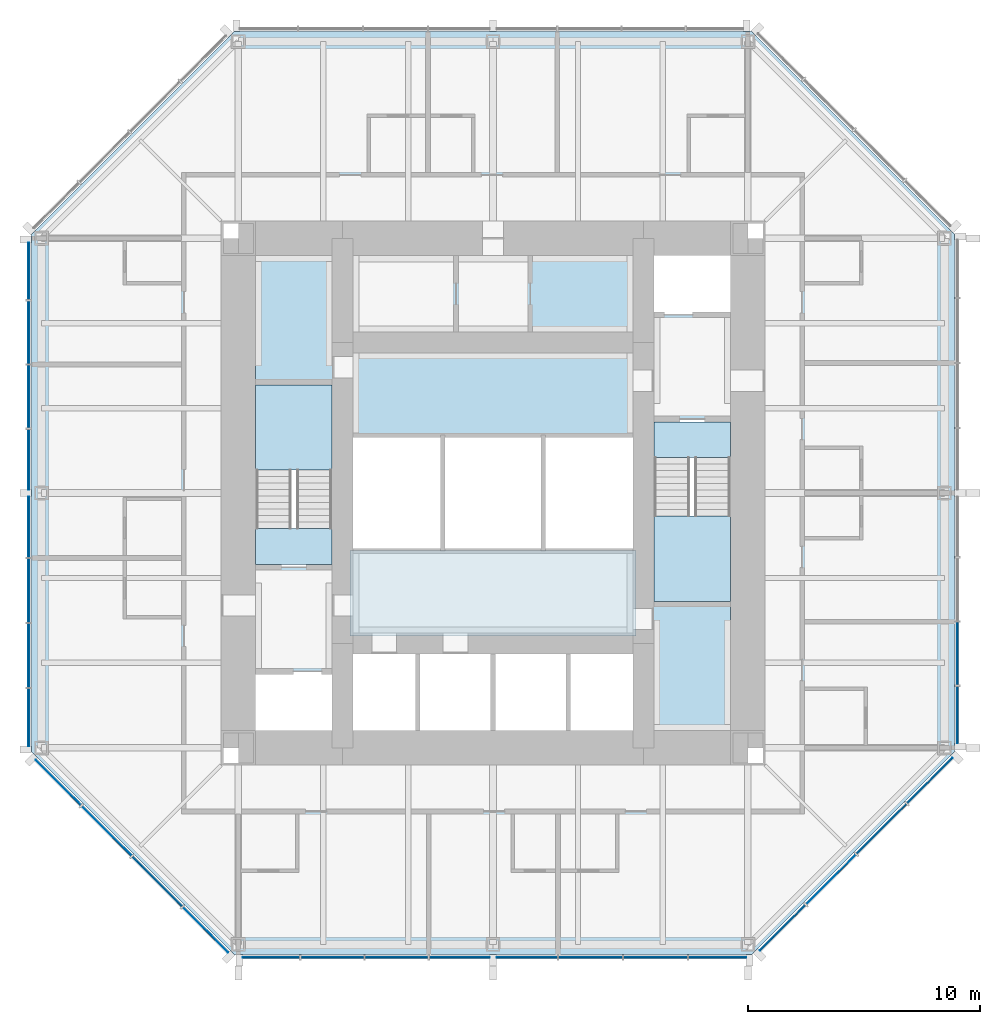
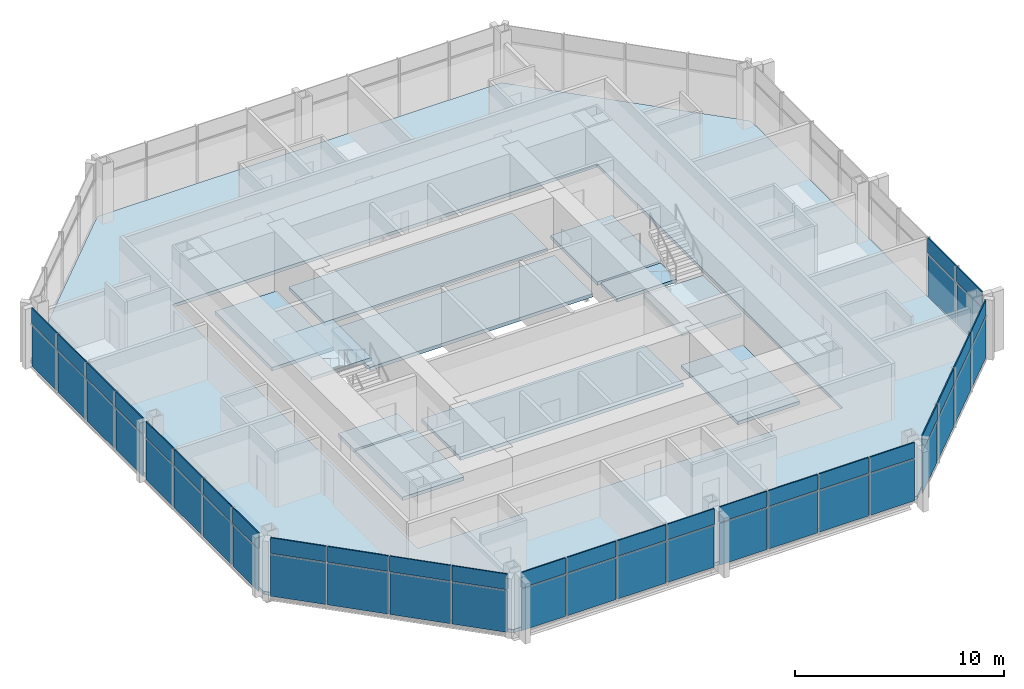
# One storey, part 6 of 11: 52 plates, 12 slabs, 7 elements without a shape of their own.
"""IFC4 building model written with IfcOpenShell, lengths in metres."""

from ifc_helpers import new_model, si_unit, direction, frame, origin, origin_2d, place, context, subcontext, project, spatial, polyline, rectangle, outline, extrude, material, layer, layer_set, type_object, element, aggregate, save


model = new_model("IFC4")

# Units and contexts
model_context = context("Model", 3, precision=1e-05, world=origin(), true_north=direction((0.0, 1.0)))
body_context = subcontext(model_context, "Body", "Model", "MODEL_VIEW")
ifc_project = project(units=[si_unit("LENGTHUNIT", "METRE"), si_unit("AREAUNIT", "SQUARE_METRE"), si_unit("VOLUMEUNIT", "CUBIC_METRE"), si_unit("PLANEANGLEUNIT", "RADIAN"), si_unit("MASSUNIT", "GRAM", prefix="KILO")], contexts=[model_context])

# Site, building, storey
site_placement = place(None, origin())
site = spatial("IfcSite", under=ifc_project, at=site_placement, CompositionType="ELEMENT")
building_placement = place(site_placement, origin())
building = spatial("IfcBuilding", under=site, at=building_placement, Name="Trevanion Tower", CompositionType="ELEMENT")
storey_placement = place(building_placement, frame((0.0, 0.0, 218.699951171875)))
storey = spatial("IfcBuildingStorey", under=building, at=storey_placement, Name="L52", CompositionType="ELEMENT", Elevation=218.699951171875)

# Curtain wall, plates
ifc_material_1 = material(Name="Aluminium and glass", Category="aluminium")
curtain_wall_type = type_object("IfcCurtainWallType", Name="CW3 curtain wall", PredefinedType="USERDEFINED", material=ifc_material_1)
curtain_wall_1_placement = place(storey_placement, origin())
curtain_wall_1 = element("IfcCurtainWall", 1, at=curtain_wall_1_placement, inside=storey, type_object=curtain_wall_type, Name="CW3 L52 0", ObjectType="UNITISED CURTAIN WALL", PredefinedType="USERDEFINED")
ifc_material_2 = material(Name="Aluminium spandrel panel", Category="aluminium")
ifc_layer_1 = layer(ifc_material_2, 0.06005859375)
ifc_layer_set_1 = layer_set([ifc_layer_1], Name="CW3 spandrel panel")
plate_type_1 = type_object("IfcPlateType", Name="CW3 spandrel panel", PredefinedType="CURTAIN_PANEL", material=ifc_layer_set_1)
plate_1_placement = place(storey_placement, frame((20.050048828125, -9.579345703125, 2.3974609375), z_axis=(0.0, 0.0, 1.0), x_axis=(0.0, 1.0, 0.0)))
plate_1 = element("IfcPlate", 2, at=plate_1_placement, type_object=plate_type_1, Name="CW3 panel 1.2", PredefinedType="CURTAIN_PANEL", context=body_context, shape_type="SweptSolid", body=[
    extrude(rectangle(XDim=2.43701171875, YDim=0.06005859375, at=origin_2d()), origin(), (0.0, 0.0, 1.0), 0.91259765625),
])
plate_2_placement = place(storey_placement, frame((20.050048828125, -6.93603515625, 2.3974609375), z_axis=(0.0, 0.0, 1.0), x_axis=(0.0, 1.0, 0.0)))
plate_2 = element("IfcPlate", 3, at=plate_2_placement, type_object=plate_type_1, Name="CW3 panel 2.2", PredefinedType="CURTAIN_PANEL", context=body_context, shape_type="SweptSolid", body=[
    extrude(rectangle(XDim=2.699462890625, YDim=0.06005859375, at=origin_2d()), origin(), (0.0, 0.0, 1.0), 0.91259765625),
])

curtain_wall_2_placement = place(storey_placement, origin())
curtain_wall_2 = element("IfcCurtainWall", 4, at=curtain_wall_2_placement, inside=storey, type_object=curtain_wall_type, Name="CW3 L52 4", ObjectType="UNITISED CURTAIN WALL", PredefinedType="USERDEFINED")
plate_3_placement = place(storey_placement, frame((-20.050048828125, 9.579345703125, 2.3974609375), z_axis=(0.0, 0.0, 1.0), x_axis=(0.0, -1.0, 0.0)))
plate_3 = element("IfcPlate", 5, at=plate_3_placement, type_object=plate_type_1, Name="CW3 panel 1.2", PredefinedType="CURTAIN_PANEL", context=body_context, shape_type="SweptSolid", body=[
    extrude(rectangle(XDim=2.43701171875, YDim=0.06005859375, at=origin_2d()), origin(), (0.0, 0.0, 1.0), 0.91259765625),
])
plate_4_placement = place(storey_placement, frame((-20.050048828125, 6.93603515625, 2.3974609375), z_axis=(0.0, 0.0, 1.0), x_axis=(0.0, -1.0, 0.0)))
plate_4 = element("IfcPlate", 6, at=plate_4_placement, type_object=plate_type_1, Name="CW3 panel 2.2", PredefinedType="CURTAIN_PANEL", context=body_context, shape_type="SweptSolid", body=[
    extrude(rectangle(XDim=2.699462890625, YDim=0.06005859375, at=origin_2d()), origin(), (0.0, 0.0, 1.0), 0.91259765625),
])
plate_5_placement = place(storey_placement, frame((-20.050048828125, 4.16162109375, 2.3974609375), z_axis=(0.0, 0.0, 1.0), x_axis=(0.0, -1.0, 0.0)))
plate_5 = element("IfcPlate", 7, at=plate_5_placement, type_object=plate_type_1, Name="CW3 panel 3.2", PredefinedType="CURTAIN_PANEL", context=body_context, shape_type="SweptSolid", body=[
    extrude(rectangle(XDim=2.699462890625, YDim=0.06005859375, at=origin_2d()), origin(), (0.0, 0.0, 1.0), 0.91259765625),
])
plate_6_placement = place(storey_placement, frame((-20.050048828125, 1.443603515625, 2.3974609375), z_axis=(0.0, 0.0, 1.0), x_axis=(0.0, -1.0, 0.0)))
plate_6 = element("IfcPlate", 8, at=plate_6_placement, type_object=plate_type_1, Name="CW3 panel 4.2", PredefinedType="CURTAIN_PANEL", context=body_context, shape_type="SweptSolid", body=[
    extrude(rectangle(XDim=2.5869140625, YDim=0.06005859375, at=origin_2d()), origin(), (0.0, 0.0, 1.0), 0.91259765625),
])
plate_7_placement = place(storey_placement, frame((-20.050048828125, -1.459716796875, 2.3974609375), z_axis=(0.0, 0.0, 1.0), x_axis=(0.0, -1.0, 0.0)))
plate_7 = element("IfcPlate", 9, at=plate_7_placement, type_object=plate_type_1, Name="CW3 panel 5.2", PredefinedType="CURTAIN_PANEL", context=body_context, shape_type="SweptSolid", body=[
    extrude(rectangle(XDim=2.619384765625, YDim=0.06005859375, at=origin_2d()), origin(), (0.0, 0.0, 1.0), 0.91259765625),
])
plate_8_placement = place(storey_placement, frame((-20.050048828125, -4.21044921875, 2.3974609375), z_axis=(0.0, 0.0, 1.0), x_axis=(0.0, -1.0, 0.0)))
plate_8 = element("IfcPlate", 10, at=plate_8_placement, type_object=plate_type_1, Name="CW3 panel 6.2", PredefinedType="CURTAIN_PANEL", context=body_context, shape_type="SweptSolid", body=[
    extrude(rectangle(XDim=2.73193359375, YDim=0.06005859375, at=origin_2d()), origin(), (0.0, 0.0, 1.0), 0.91259765625),
])
plate_9_placement = place(storey_placement, frame((-20.050048828125, -7.017333984375, 2.3974609375), z_axis=(0.0, 0.0, 1.0), x_axis=(0.0, -1.0, 0.0)))
plate_9 = element("IfcPlate", 11, at=plate_9_placement, type_object=plate_type_1, Name="CW3 panel 7.2", PredefinedType="CURTAIN_PANEL", context=body_context, shape_type="SweptSolid", body=[
    extrude(rectangle(XDim=2.73193359375, YDim=0.06005859375, at=origin_2d()), origin(), (0.0, 0.0, 1.0), 0.91259765625),
])
plate_10_placement = place(storey_placement, frame((-20.050048828125, -9.693115234375, 2.3974609375), z_axis=(0.0, 0.0, 1.0), x_axis=(0.0, -1.0, 0.0)))
plate_10 = element("IfcPlate", 12, at=plate_10_placement, type_object=plate_type_1, Name="CW3 panel 8.2", PredefinedType="CURTAIN_PANEL", context=body_context, shape_type="SweptSolid", body=[
    extrude(rectangle(XDim=2.469482421875, YDim=0.06005859375, at=origin_2d()), origin(), (0.0, 0.0, 1.0), 0.91259765625),
])

curtain_wall_3_placement = place(storey_placement, origin())
curtain_wall_3 = element("IfcCurtainWall", 13, at=curtain_wall_3_placement, inside=storey, type_object=curtain_wall_type, Name="CW3 L52 5", ObjectType="UNITISED CURTAIN WALL", PredefinedType="USERDEFINED")
plate_11_placement = place(storey_placement, frame((-18.77392578125, -12.50390625, 2.3974609375), z_axis=(0.0, 0.0, 1.0), x_axis=(0.707106781187, -0.707106781187, 0.0)))
plate_11 = element("IfcPlate", 14, at=plate_11_placement, type_object=plate_type_1, Name="CW3 panel 1.2", PredefinedType="CURTAIN_PANEL", context=body_context, shape_type="SweptSolid", body=[
    extrude(rectangle(XDim=2.7490234375, YDim=0.06005859375, at=origin_2d()), origin(), (0.0, 0.0, 1.0), 0.91259765625),
])
plate_12_placement = place(storey_placement, frame((-16.68408203125, -14.593505859375, 2.3974609375), z_axis=(0.0, 0.0, 1.0), x_axis=(0.707106781187, -0.707106781187, 0.0)))
plate_12 = element("IfcPlate", 15, at=plate_12_placement, type_object=plate_type_1, Name="CW3 panel 2.2", PredefinedType="CURTAIN_PANEL", context=body_context, shape_type="SweptSolid", body=[
    extrude(rectangle(XDim=3.01171875, YDim=0.06005859375, at=origin_2d()), origin(), (0.0, 0.0, 1.0), 0.91259765625),
])
plate_13_placement = place(storey_placement, frame((-14.501708984375, -16.776123046875, 2.3974609375), z_axis=(0.0, 0.0, 1.0), x_axis=(0.707106781187, -0.707106781187, 0.0)))
plate_13 = element("IfcPlate", 16, at=plate_13_placement, type_object=plate_type_1, Name="CW3 panel 3.2", PredefinedType="CURTAIN_PANEL", context=body_context, shape_type="SweptSolid", body=[
    extrude(rectangle(XDim=3.01171875, YDim=0.06005859375, at=origin_2d()), origin(), (0.0, 0.0, 1.0), 0.91259765625),
])
plate_14_placement = place(storey_placement, frame((-12.411865234375, -18.865966796875, 2.3974609375), z_axis=(0.0, 0.0, 1.0), x_axis=(0.707106781187, -0.707106781187, 0.0)))
plate_14 = element("IfcPlate", 17, at=plate_14_placement, type_object=plate_type_1, Name="CW3 panel 4.2", PredefinedType="CURTAIN_PANEL", context=body_context, shape_type="SweptSolid", body=[
    extrude(rectangle(XDim=2.7490234375, YDim=0.06005859375, at=origin_2d()), origin(), (0.0, 0.0, 1.0), 0.91259765625),
])

curtain_wall_4_placement = place(storey_placement, origin())
curtain_wall_4 = element("IfcCurtainWall", 18, at=curtain_wall_4_placement, inside=storey, type_object=curtain_wall_type, Name="CW3 L52 6", ObjectType="UNITISED CURTAIN WALL", PredefinedType="USERDEFINED")
plate_15_placement = place(storey_placement, frame((-9.579345703125, -20.050048828125, 2.3974609375), z_axis=(0.0, 0.0, 1.0), x_axis=(1.0, 0.0, 0.0)))
plate_15 = element("IfcPlate", 19, at=plate_15_placement, type_object=plate_type_1, Name="CW3 panel 1.2", PredefinedType="CURTAIN_PANEL", context=body_context, shape_type="SweptSolid", body=[
    extrude(rectangle(XDim=2.43701171875, YDim=0.06005859375, at=origin_2d()), origin(), (0.0, 0.0, 1.0), 0.91259765625),
])
plate_16_placement = place(storey_placement, frame((-6.93603515625, -20.050048828125, 2.3974609375), z_axis=(0.0, 0.0, 1.0), x_axis=(1.0, 0.0, 0.0)))
plate_16 = element("IfcPlate", 20, at=plate_16_placement, type_object=plate_type_1, Name="CW3 panel 2.2", PredefinedType="CURTAIN_PANEL", context=body_context, shape_type="SweptSolid", body=[
    extrude(rectangle(XDim=2.699462890625, YDim=0.06005859375, at=origin_2d()), origin(), (0.0, 0.0, 1.0), 0.91259765625),
])
plate_17_placement = place(storey_placement, frame((-4.16162109375, -20.050048828125, 2.3974609375), z_axis=(0.0, 0.0, 1.0), x_axis=(1.0, 0.0, 0.0)))
plate_17 = element("IfcPlate", 21, at=plate_17_placement, type_object=plate_type_1, Name="CW3 panel 3.2", PredefinedType="CURTAIN_PANEL", context=body_context, shape_type="SweptSolid", body=[
    extrude(rectangle(XDim=2.699462890625, YDim=0.06005859375, at=origin_2d()), origin(), (0.0, 0.0, 1.0), 0.91259765625),
])
plate_18_placement = place(storey_placement, frame((-1.443603515625, -20.050048828125, 2.3974609375), z_axis=(0.0, 0.0, 1.0), x_axis=(1.0, 0.0, 0.0)))
plate_18 = element("IfcPlate", 22, at=plate_18_placement, type_object=plate_type_1, Name="CW3 panel 4.2", PredefinedType="CURTAIN_PANEL", context=body_context, shape_type="SweptSolid", body=[
    extrude(rectangle(XDim=2.5869140625, YDim=0.06005859375, at=origin_2d()), origin(), (0.0, 0.0, 1.0), 0.91259765625),
])
plate_19_placement = place(storey_placement, frame((1.459716796875, -20.050048828125, 2.3974609375), z_axis=(0.0, 0.0, 1.0), x_axis=(1.0, 0.0, 0.0)))
plate_19 = element("IfcPlate", 23, at=plate_19_placement, type_object=plate_type_1, Name="CW3 panel 5.2", PredefinedType="CURTAIN_PANEL", context=body_context, shape_type="SweptSolid", body=[
    extrude(rectangle(XDim=2.619384765625, YDim=0.06005859375, at=origin_2d()), origin(), (0.0, 0.0, 1.0), 0.91259765625),
])
plate_20_placement = place(storey_placement, frame((4.21044921875, -20.050048828125, 2.3974609375), z_axis=(0.0, 0.0, 1.0), x_axis=(1.0, 0.0, 0.0)))
plate_20 = element("IfcPlate", 24, at=plate_20_placement, type_object=plate_type_1, Name="CW3 panel 6.2", PredefinedType="CURTAIN_PANEL", context=body_context, shape_type="SweptSolid", body=[
    extrude(rectangle(XDim=2.73193359375, YDim=0.06005859375, at=origin_2d()), origin(), (0.0, 0.0, 1.0), 0.91259765625),
])
plate_21_placement = place(storey_placement, frame((7.017333984375, -20.050048828125, 2.3974609375), z_axis=(0.0, 0.0, 1.0), x_axis=(1.0, 0.0, 0.0)))
plate_21 = element("IfcPlate", 25, at=plate_21_placement, type_object=plate_type_1, Name="CW3 panel 7.2", PredefinedType="CURTAIN_PANEL", context=body_context, shape_type="SweptSolid", body=[
    extrude(rectangle(XDim=2.73193359375, YDim=0.06005859375, at=origin_2d()), origin(), (0.0, 0.0, 1.0), 0.91259765625),
])
plate_22_placement = place(storey_placement, frame((9.693115234375, -20.050048828125, 2.3974609375), z_axis=(0.0, 0.0, 1.0), x_axis=(1.0, 0.0, 0.0)))
plate_22 = element("IfcPlate", 26, at=plate_22_placement, type_object=plate_type_1, Name="CW3 panel 8.2", PredefinedType="CURTAIN_PANEL", context=body_context, shape_type="SweptSolid", body=[
    extrude(rectangle(XDim=2.469482421875, YDim=0.06005859375, at=origin_2d()), origin(), (0.0, 0.0, 1.0), 0.91259765625),
])

curtain_wall_5_placement = place(storey_placement, origin())
curtain_wall_5 = element("IfcCurtainWall", 27, at=curtain_wall_5_placement, inside=storey, type_object=curtain_wall_type, Name="CW3 L52 7", ObjectType="UNITISED CURTAIN WALL", PredefinedType="USERDEFINED")
plate_23_placement = place(storey_placement, frame((12.50390625, -18.77392578125, 2.3974609375), z_axis=(0.0, 0.0, 1.0), x_axis=(0.707106781187, 0.707106781187, 0.0)))
plate_23 = element("IfcPlate", 28, at=plate_23_placement, type_object=plate_type_1, Name="CW3 panel 1.2", PredefinedType="CURTAIN_PANEL", context=body_context, shape_type="SweptSolid", body=[
    extrude(rectangle(XDim=2.7490234375, YDim=0.06005859375, at=origin_2d()), origin(), (0.0, 0.0, 1.0), 0.91259765625),
])
plate_24_placement = place(storey_placement, frame((14.593505859375, -16.68408203125, 2.3974609375), z_axis=(0.0, 0.0, 1.0), x_axis=(0.707106781187, 0.707106781187, 0.0)))
plate_24 = element("IfcPlate", 29, at=plate_24_placement, type_object=plate_type_1, Name="CW3 panel 2.2", PredefinedType="CURTAIN_PANEL", context=body_context, shape_type="SweptSolid", body=[
    extrude(rectangle(XDim=3.01171875, YDim=0.06005859375, at=origin_2d()), origin(), (0.0, 0.0, 1.0), 0.91259765625),
])
plate_25_placement = place(storey_placement, frame((16.776123046875, -14.501708984375, 2.3974609375), z_axis=(0.0, 0.0, 1.0), x_axis=(0.707106781187, 0.707106781187, 0.0)))
plate_25 = element("IfcPlate", 30, at=plate_25_placement, type_object=plate_type_1, Name="CW3 panel 3.2", PredefinedType="CURTAIN_PANEL", context=body_context, shape_type="SweptSolid", body=[
    extrude(rectangle(XDim=3.01171875, YDim=0.06005859375, at=origin_2d()), origin(), (0.0, 0.0, 1.0), 0.91259765625),
])
plate_26_placement = place(storey_placement, frame((18.865966796875, -12.411865234375, 2.3974609375), z_axis=(0.0, 0.0, 1.0), x_axis=(0.707106781187, 0.707106781187, 0.0)))
plate_26 = element("IfcPlate", 31, at=plate_26_placement, type_object=plate_type_1, Name="CW3 panel 4.2", PredefinedType="CURTAIN_PANEL", context=body_context, shape_type="SweptSolid", body=[
    extrude(rectangle(XDim=2.7490234375, YDim=0.06005859375, at=origin_2d()), origin(), (0.0, 0.0, 1.0), 0.91259765625),
])

# Plate
ifc_material_3 = material(Name="Insulating glass unit", Category="glass")
ifc_layer_2 = layer(ifc_material_3, 0.028076171875)
ifc_layer_set_2 = layer_set([ifc_layer_2], Name="CW3 vision panel")
plate_type_2 = type_object("IfcPlateType", Name="CW3 vision panel", PredefinedType="CURTAIN_PANEL", material=ifc_layer_set_2)
plate_27_placement = place(storey_placement, frame((20.050048828125, -9.579345703125, -0.114990234375), z_axis=(0.0, 0.0, 1.0), x_axis=(0.0, 1.0, 0.0)))
plate_27 = element("IfcPlate", 32, at=plate_27_placement, type_object=plate_type_2, Name="CW3 panel 1.1", PredefinedType="CURTAIN_PANEL", context=body_context, shape_type="SweptSolid", body=[
    extrude(rectangle(XDim=2.43701171875, YDim=0.028076171875, at=origin_2d()), origin(), (0.0, 0.0, 1.0), 2.4375),
])

plate_28_placement = place(storey_placement, frame((20.050048828125, -6.93603515625, -0.114990234375), z_axis=(0.0, 0.0, 1.0), x_axis=(0.0, 1.0, 0.0)))
plate_28 = element("IfcPlate", 33, at=plate_28_placement, type_object=plate_type_2, Name="CW3 panel 2.1", PredefinedType="CURTAIN_PANEL", context=body_context, shape_type="SweptSolid", body=[
    extrude(rectangle(XDim=2.699462890625, YDim=0.028076171875, at=origin_2d()), origin(), (0.0, 0.0, 1.0), 2.4375),
])

aggregate(curtain_wall_1, [plate_27, plate_1, plate_28, plate_2])

plate_29_placement = place(storey_placement, frame((-20.050048828125, 9.579345703125, -0.114990234375), z_axis=(0.0, 0.0, 1.0), x_axis=(0.0, -1.0, 0.0)))
plate_29 = element("IfcPlate", 34, at=plate_29_placement, type_object=plate_type_2, Name="CW3 panel 1.1", PredefinedType="CURTAIN_PANEL", context=body_context, shape_type="SweptSolid", body=[
    extrude(rectangle(XDim=2.43701171875, YDim=0.028076171875, at=origin_2d()), origin(), (0.0, 0.0, 1.0), 2.4375),
])

plate_30_placement = place(storey_placement, frame((-20.050048828125, 6.93603515625, -0.114990234375), z_axis=(0.0, 0.0, 1.0), x_axis=(0.0, -1.0, 0.0)))
plate_30 = element("IfcPlate", 35, at=plate_30_placement, type_object=plate_type_2, Name="CW3 panel 2.1", PredefinedType="CURTAIN_PANEL", context=body_context, shape_type="SweptSolid", body=[
    extrude(rectangle(XDim=2.699462890625, YDim=0.028076171875, at=origin_2d()), origin(), (0.0, 0.0, 1.0), 2.4375),
])

plate_31_placement = place(storey_placement, frame((-20.050048828125, 4.16162109375, -0.114990234375), z_axis=(0.0, 0.0, 1.0), x_axis=(0.0, -1.0, 0.0)))
plate_31 = element("IfcPlate", 36, at=plate_31_placement, type_object=plate_type_2, Name="CW3 panel 3.1", PredefinedType="CURTAIN_PANEL", context=body_context, shape_type="SweptSolid", body=[
    extrude(rectangle(XDim=2.699462890625, YDim=0.028076171875, at=origin_2d()), origin(), (0.0, 0.0, 1.0), 2.4375),
])

plate_32_placement = place(storey_placement, frame((-20.050048828125, 1.443603515625, -0.114990234375), z_axis=(0.0, 0.0, 1.0), x_axis=(0.0, -1.0, 0.0)))
plate_32 = element("IfcPlate", 37, at=plate_32_placement, type_object=plate_type_2, Name="CW3 panel 4.1", PredefinedType="CURTAIN_PANEL", context=body_context, shape_type="SweptSolid", body=[
    extrude(rectangle(XDim=2.5869140625, YDim=0.028076171875, at=origin_2d()), origin(), (0.0, 0.0, 1.0), 2.4375),
])

plate_33_placement = place(storey_placement, frame((-20.050048828125, -1.459716796875, -0.114990234375), z_axis=(0.0, 0.0, 1.0), x_axis=(0.0, -1.0, 0.0)))
plate_33 = element("IfcPlate", 38, at=plate_33_placement, type_object=plate_type_2, Name="CW3 panel 5.1", PredefinedType="CURTAIN_PANEL", context=body_context, shape_type="SweptSolid", body=[
    extrude(rectangle(XDim=2.619384765625, YDim=0.028076171875, at=origin_2d()), origin(), (0.0, 0.0, 1.0), 2.4375),
])

plate_34_placement = place(storey_placement, frame((-20.050048828125, -4.21044921875, -0.114990234375), z_axis=(0.0, 0.0, 1.0), x_axis=(0.0, -1.0, 0.0)))
plate_34 = element("IfcPlate", 39, at=plate_34_placement, type_object=plate_type_2, Name="CW3 panel 6.1", PredefinedType="CURTAIN_PANEL", context=body_context, shape_type="SweptSolid", body=[
    extrude(rectangle(XDim=2.73193359375, YDim=0.028076171875, at=origin_2d()), origin(), (0.0, 0.0, 1.0), 2.4375),
])

plate_35_placement = place(storey_placement, frame((-20.050048828125, -7.017333984375, -0.114990234375), z_axis=(0.0, 0.0, 1.0), x_axis=(0.0, -1.0, 0.0)))
plate_35 = element("IfcPlate", 40, at=plate_35_placement, type_object=plate_type_2, Name="CW3 panel 7.1", PredefinedType="CURTAIN_PANEL", context=body_context, shape_type="SweptSolid", body=[
    extrude(rectangle(XDim=2.73193359375, YDim=0.028076171875, at=origin_2d()), origin(), (0.0, 0.0, 1.0), 2.4375),
])

plate_36_placement = place(storey_placement, frame((-20.050048828125, -9.693115234375, -0.114990234375), z_axis=(0.0, 0.0, 1.0), x_axis=(0.0, -1.0, 0.0)))
plate_36 = element("IfcPlate", 41, at=plate_36_placement, type_object=plate_type_2, Name="CW3 panel 8.1", PredefinedType="CURTAIN_PANEL", context=body_context, shape_type="SweptSolid", body=[
    extrude(rectangle(XDim=2.469482421875, YDim=0.028076171875, at=origin_2d()), origin(), (0.0, 0.0, 1.0), 2.4375),
])

aggregate(curtain_wall_2, [plate_29, plate_3, plate_30, plate_4, plate_31, plate_5, plate_32, plate_6, plate_33, plate_7, plate_34, plate_8, plate_35, plate_9, plate_36, plate_10])

plate_37_placement = place(storey_placement, frame((-18.77392578125, -12.50390625, -0.114990234375), z_axis=(0.0, 0.0, 1.0), x_axis=(0.707106781187, -0.707106781187, 0.0)))
plate_37 = element("IfcPlate", 42, at=plate_37_placement, type_object=plate_type_2, Name="CW3 panel 1.1", PredefinedType="CURTAIN_PANEL", context=body_context, shape_type="SweptSolid", body=[
    extrude(rectangle(XDim=2.7490234375, YDim=0.028076171875, at=origin_2d()), origin(), (0.0, 0.0, 1.0), 2.4375),
])

plate_38_placement = place(storey_placement, frame((-16.68408203125, -14.593505859375, -0.114990234375), z_axis=(0.0, 0.0, 1.0), x_axis=(0.707106781187, -0.707106781187, 0.0)))
plate_38 = element("IfcPlate", 43, at=plate_38_placement, type_object=plate_type_2, Name="CW3 panel 2.1", PredefinedType="CURTAIN_PANEL", context=body_context, shape_type="SweptSolid", body=[
    extrude(rectangle(XDim=3.01171875, YDim=0.028076171875, at=origin_2d()), origin(), (0.0, 0.0, 1.0), 2.4375),
])

plate_39_placement = place(storey_placement, frame((-14.501708984375, -16.776123046875, -0.114990234375), z_axis=(0.0, 0.0, 1.0), x_axis=(0.707106781187, -0.707106781187, 0.0)))
plate_39 = element("IfcPlate", 44, at=plate_39_placement, type_object=plate_type_2, Name="CW3 panel 3.1", PredefinedType="CURTAIN_PANEL", context=body_context, shape_type="SweptSolid", body=[
    extrude(rectangle(XDim=3.01171875, YDim=0.028076171875, at=origin_2d()), origin(), (0.0, 0.0, 1.0), 2.4375),
])

plate_40_placement = place(storey_placement, frame((-12.411865234375, -18.865966796875, -0.114990234375), z_axis=(0.0, 0.0, 1.0), x_axis=(0.707106781187, -0.707106781187, 0.0)))
plate_40 = element("IfcPlate", 45, at=plate_40_placement, type_object=plate_type_2, Name="CW3 panel 4.1", PredefinedType="CURTAIN_PANEL", context=body_context, shape_type="SweptSolid", body=[
    extrude(rectangle(XDim=2.7490234375, YDim=0.028076171875, at=origin_2d()), origin(), (0.0, 0.0, 1.0), 2.4375),
])

aggregate(curtain_wall_3, [plate_37, plate_11, plate_38, plate_12, plate_39, plate_13, plate_40, plate_14])

plate_41_placement = place(storey_placement, frame((-9.579345703125, -20.050048828125, -0.114990234375), z_axis=(0.0, 0.0, 1.0), x_axis=(1.0, 0.0, 0.0)))
plate_41 = element("IfcPlate", 46, at=plate_41_placement, type_object=plate_type_2, Name="CW3 panel 1.1", PredefinedType="CURTAIN_PANEL", context=body_context, shape_type="SweptSolid", body=[
    extrude(rectangle(XDim=2.43701171875, YDim=0.028076171875, at=origin_2d()), origin(), (0.0, 0.0, 1.0), 2.4375),
])

plate_42_placement = place(storey_placement, frame((-6.93603515625, -20.050048828125, -0.114990234375), z_axis=(0.0, 0.0, 1.0), x_axis=(1.0, 0.0, 0.0)))
plate_42 = element("IfcPlate", 47, at=plate_42_placement, type_object=plate_type_2, Name="CW3 panel 2.1", PredefinedType="CURTAIN_PANEL", context=body_context, shape_type="SweptSolid", body=[
    extrude(rectangle(XDim=2.699462890625, YDim=0.028076171875, at=origin_2d()), origin(), (0.0, 0.0, 1.0), 2.4375),
])

plate_43_placement = place(storey_placement, frame((-4.16162109375, -20.050048828125, -0.114990234375), z_axis=(0.0, 0.0, 1.0), x_axis=(1.0, 0.0, 0.0)))
plate_43 = element("IfcPlate", 48, at=plate_43_placement, type_object=plate_type_2, Name="CW3 panel 3.1", PredefinedType="CURTAIN_PANEL", context=body_context, shape_type="SweptSolid", body=[
    extrude(rectangle(XDim=2.699462890625, YDim=0.028076171875, at=origin_2d()), origin(), (0.0, 0.0, 1.0), 2.4375),
])

plate_44_placement = place(storey_placement, frame((-1.443603515625, -20.050048828125, -0.114990234375), z_axis=(0.0, 0.0, 1.0), x_axis=(1.0, 0.0, 0.0)))
plate_44 = element("IfcPlate", 49, at=plate_44_placement, type_object=plate_type_2, Name="CW3 panel 4.1", PredefinedType="CURTAIN_PANEL", context=body_context, shape_type="SweptSolid", body=[
    extrude(rectangle(XDim=2.5869140625, YDim=0.028076171875, at=origin_2d()), origin(), (0.0, 0.0, 1.0), 2.4375),
])

plate_45_placement = place(storey_placement, frame((1.459716796875, -20.050048828125, -0.114990234375), z_axis=(0.0, 0.0, 1.0), x_axis=(1.0, 0.0, 0.0)))
plate_45 = element("IfcPlate", 50, at=plate_45_placement, type_object=plate_type_2, Name="CW3 panel 5.1", PredefinedType="CURTAIN_PANEL", context=body_context, shape_type="SweptSolid", body=[
    extrude(rectangle(XDim=2.619384765625, YDim=0.028076171875, at=origin_2d()), origin(), (0.0, 0.0, 1.0), 2.4375),
])

plate_46_placement = place(storey_placement, frame((4.21044921875, -20.050048828125, -0.114990234375), z_axis=(0.0, 0.0, 1.0), x_axis=(1.0, 0.0, 0.0)))
plate_46 = element("IfcPlate", 51, at=plate_46_placement, type_object=plate_type_2, Name="CW3 panel 6.1", PredefinedType="CURTAIN_PANEL", context=body_context, shape_type="SweptSolid", body=[
    extrude(rectangle(XDim=2.73193359375, YDim=0.028076171875, at=origin_2d()), origin(), (0.0, 0.0, 1.0), 2.4375),
])

plate_47_placement = place(storey_placement, frame((7.017333984375, -20.050048828125, -0.114990234375), z_axis=(0.0, 0.0, 1.0), x_axis=(1.0, 0.0, 0.0)))
plate_47 = element("IfcPlate", 52, at=plate_47_placement, type_object=plate_type_2, Name="CW3 panel 7.1", PredefinedType="CURTAIN_PANEL", context=body_context, shape_type="SweptSolid", body=[
    extrude(rectangle(XDim=2.73193359375, YDim=0.028076171875, at=origin_2d()), origin(), (0.0, 0.0, 1.0), 2.4375),
])

plate_48_placement = place(storey_placement, frame((9.693115234375, -20.050048828125, -0.114990234375), z_axis=(0.0, 0.0, 1.0), x_axis=(1.0, 0.0, 0.0)))
plate_48 = element("IfcPlate", 53, at=plate_48_placement, type_object=plate_type_2, Name="CW3 panel 8.1", PredefinedType="CURTAIN_PANEL", context=body_context, shape_type="SweptSolid", body=[
    extrude(rectangle(XDim=2.469482421875, YDim=0.028076171875, at=origin_2d()), origin(), (0.0, 0.0, 1.0), 2.4375),
])

aggregate(curtain_wall_4, [plate_41, plate_15, plate_42, plate_16, plate_43, plate_17, plate_44, plate_18, plate_45, plate_19, plate_46, plate_20, plate_47, plate_21, plate_48, plate_22])

plate_49_placement = place(storey_placement, frame((12.50390625, -18.77392578125, -0.114990234375), z_axis=(0.0, 0.0, 1.0), x_axis=(0.707106781187, 0.707106781187, 0.0)))
plate_49 = element("IfcPlate", 54, at=plate_49_placement, type_object=plate_type_2, Name="CW3 panel 1.1", PredefinedType="CURTAIN_PANEL", context=body_context, shape_type="SweptSolid", body=[
    extrude(rectangle(XDim=2.7490234375, YDim=0.028076171875, at=origin_2d()), origin(), (0.0, 0.0, 1.0), 2.4375),
])

plate_50_placement = place(storey_placement, frame((14.593505859375, -16.68408203125, -0.114990234375), z_axis=(0.0, 0.0, 1.0), x_axis=(0.707106781187, 0.707106781187, 0.0)))
plate_50 = element("IfcPlate", 55, at=plate_50_placement, type_object=plate_type_2, Name="CW3 panel 2.1", PredefinedType="CURTAIN_PANEL", context=body_context, shape_type="SweptSolid", body=[
    extrude(rectangle(XDim=3.01171875, YDim=0.028076171875, at=origin_2d()), origin(), (0.0, 0.0, 1.0), 2.4375),
])

plate_51_placement = place(storey_placement, frame((16.776123046875, -14.501708984375, -0.114990234375), z_axis=(0.0, 0.0, 1.0), x_axis=(0.707106781187, 0.707106781187, 0.0)))
plate_51 = element("IfcPlate", 56, at=plate_51_placement, type_object=plate_type_2, Name="CW3 panel 3.1", PredefinedType="CURTAIN_PANEL", context=body_context, shape_type="SweptSolid", body=[
    extrude(rectangle(XDim=3.01171875, YDim=0.028076171875, at=origin_2d()), origin(), (0.0, 0.0, 1.0), 2.4375),
])

plate_52_placement = place(storey_placement, frame((18.865966796875, -12.411865234375, -0.114990234375), z_axis=(0.0, 0.0, 1.0), x_axis=(0.707106781187, 0.707106781187, 0.0)))
plate_52 = element("IfcPlate", 57, at=plate_52_placement, type_object=plate_type_2, Name="CW3 panel 4.1", PredefinedType="CURTAIN_PANEL", context=body_context, shape_type="SweptSolid", body=[
    extrude(rectangle(XDim=2.7490234375, YDim=0.028076171875, at=origin_2d()), origin(), (0.0, 0.0, 1.0), 2.4375),
])

aggregate(curtain_wall_5, [plate_49, plate_23, plate_50, plate_24, plate_51, plate_25, plate_52, plate_26])

# Slabs
ifc_material_4 = material(Name="Concrete 5,000 psi on composite metal deck", Category="concrete")
ifc_layer_3 = layer(ifc_material_4, 0.18994140625)
ifc_layer_set_3 = layer_set([ifc_layer_3], Name="SL1 composite floor 190")
slab_type_1 = type_object("IfcSlabType", Name="SL1 composite floor 190", PredefinedType="FLOOR", material=ifc_layer_set_3)
slab_1_placement = place(storey_placement, frame((0.0, 0.0, -0.18994140625)))
element("IfcSlab", 58, at=slab_1_placement, inside=storey, type_object=slab_type_1, Name="SL1 L52 floor", PredefinedType="FLOOR", context=body_context, shape_type="SweptSolid", body=[
    extrude(outline(polyline([(19.919921875, -11.174072265625), (19.919921875, 11.174072265625), (11.174072265625, 19.919921875), (-11.174072265625, 19.919921875), (-19.919921875, 11.174072265625), (-19.919921875, -11.174072265625), (-11.174072265625, -19.919921875), (11.174072265625, -19.919921875), (19.919921875, -11.174072265625)]), holes=[polyline([(11.75, -11.75), (11.75, 11.75), (-11.75, 11.75), (-11.75, -11.75), (11.75, -11.75)])]), origin(), (0.0, 0.0, 1.0), 0.18994140625),
])
ifc_material_5 = material(Name="Concrete 5,000 psi", Category="concrete")
ifc_layer_4 = layer(ifc_material_5, 0.199951171875)
ifc_layer_set_4 = layer_set([ifc_layer_4], Name="SL2 core floor 200")
slab_type_2 = type_object("IfcSlabType", Name="SL2 core floor 200", PredefinedType="FLOOR", material=ifc_layer_set_4)
slab_2_placement = place(storey_placement, frame((0.0, 0.0, -0.199951171875)))
element("IfcSlab", 59, at=slab_2_placement, inside=storey, type_object=slab_type_2, Name="SL2 L52 core floor 1", PredefinedType="FLOOR", context=body_context, shape_type="SweptSolid", body=[
    extrude(outline(polyline([(10.25, -4.804931640625), (10.25, -10.25), (6.830078125, -10.25), (6.830078125, -4.804931640625), (10.25, -4.804931640625)])), origin(), (0.0, 0.0, 1.0), 0.199951171875),
])
slab_3_placement = place(storey_placement, frame((0.0, 0.0, -0.199951171875)))
element("IfcSlab", 60, at=slab_3_placement, inside=storey, type_object=slab_type_2, Name="SL2 L52 core floor 2", PredefinedType="FLOOR", context=body_context, shape_type="SweptSolid", body=[
    extrude(outline(polyline([(-6.830078125, -3.205078125), (-6.830078125, -7.695068359375), (-10.25, -7.695068359375), (-10.25, -3.205078125), (-6.830078125, -3.205078125)])), origin(), (0.0, 0.0, 1.0), 0.199951171875),
])
slab_4_placement = place(storey_placement, frame((0.0, 0.0, -0.199951171875)))
element("IfcSlab", 61, at=slab_4_placement, inside=storey, type_object=slab_type_2, Name="SL2 L52 core floor 3", PredefinedType="FLOOR", context=body_context, shape_type="SweptSolid", body=[
    extrude(outline(polyline([(6.169921875, -6.169921875), (-6.169921875, -6.169921875), (-6.169921875, -2.47998046875), (6.169921875, -2.47998046875), (6.169921875, -6.169921875)])), origin(), (0.0, 0.0, 1.0), 0.199951171875),
])
slab_5_placement = place(storey_placement, frame((0.0, 0.0, -0.199951171875)))
element("IfcSlab", 62, at=slab_5_placement, inside=storey, type_object=slab_type_2, Name="SL2 L52 core floor 4", PredefinedType="FLOOR", context=body_context, shape_type="SweptSolid", body=[
    extrude(outline(polyline([(6.169921875, 2.47998046875), (-6.169921875, 2.47998046875), (-6.169921875, 6.169921875), (6.169921875, 6.169921875), (6.169921875, 2.47998046875)])), origin(), (0.0, 0.0, 1.0), 0.199951171875),
])
slab_6_placement = place(storey_placement, frame((0.0, 0.0, -0.199951171875)))
element("IfcSlab", 63, at=slab_6_placement, inside=storey, type_object=slab_type_2, Name="SL2 L52 core floor 5", PredefinedType="FLOOR", context=body_context, shape_type="SweptSolid", body=[
    extrude(outline(polyline([(6.830078125, 3.205078125), (6.830078125, 7.695068359375), (10.25, 7.695068359375), (10.25, 3.205078125), (6.830078125, 3.205078125)])), origin(), (0.0, 0.0, 1.0), 0.199951171875),
])
slab_7_placement = place(storey_placement, frame((0.0, 0.0, -0.199951171875)))
element("IfcSlab", 64, at=slab_7_placement, inside=storey, type_object=slab_type_2, Name="SL2 L52 core floor 6", PredefinedType="FLOOR", context=body_context, shape_type="SweptSolid", body=[
    extrude(outline(polyline([(-6.830078125, 4.804931640625), (-10.25, 4.804931640625), (-10.25, 10.25), (-6.830078125, 10.25), (-6.830078125, 4.804931640625)])), origin(), (0.0, 0.0, 1.0), 0.199951171875),
])
slab_8_placement = place(storey_placement, frame((0.0, 0.0, -0.199951171875)))
element("IfcSlab", 65, at=slab_8_placement, inside=storey, type_object=slab_type_2, Name="SL2 L52 core floor 7", PredefinedType="FLOOR", context=body_context, shape_type="SweptSolid", body=[
    extrude(outline(polyline([(6.169921875, 6.830078125), (-6.169921875, 6.830078125), (-6.169921875, 10.25), (6.169921875, 10.25), (6.169921875, 6.830078125)])), origin(), (0.0, 0.0, 1.0), 0.199951171875),
])

# Stair, slabs
ifc_material_6 = material(Name="Concrete 5,000 psi on steel stringers", Category="concrete")
stair_type = type_object("IfcStairType", Name="ST stair", PredefinedType="HALF_TURN_STAIR", material=ifc_material_6)
stair_1_placement = place(storey_placement, origin())
stair_1 = element("IfcStair", 66, at=stair_1_placement, inside=storey, type_object=stair_type, Name="ST1 L52", PredefinedType="HALF_TURN_STAIR")
ifc_material_7 = material(Name="Concrete 5,000 psi in steel pan", Category="concrete")
ifc_layer_5 = layer(ifc_material_7, 0.199951171875)
ifc_layer_set_5 = layer_set([ifc_layer_5], Name="STL stair landing 200")
slab_type_3 = type_object("IfcSlabType", Name="STL stair landing 200", PredefinedType="LANDING", material=ifc_layer_set_5)
slab_9_placement = place(storey_placement, frame((0.0, 0.0, -0.199951171875)))
slab_9 = element("IfcSlab", 67, at=slab_9_placement, type_object=slab_type_3, Name="ST1 landing 1", PredefinedType="LANDING", context=body_context, shape_type="SweptSolid", body=[
    extrude(outline(polyline([(6.949951171875, 1.52490234375), (10.25, 1.52490234375), (10.25, 3.074951171875), (6.949951171875, 3.074951171875), (6.949951171875, 1.52490234375)])), origin(), (0.0, 0.0, 1.0), 0.199951171875),
])
slab_10_placement = place(storey_placement, frame((0.0, 0.0, 1.550048828125)))
slab_10 = element("IfcSlab", 68, at=slab_10_placement, type_object=slab_type_3, Name="ST1 landing 2", PredefinedType="LANDING", context=body_context, shape_type="SweptSolid", body=[
    extrude(outline(polyline([(6.949951171875, -4.675048828125), (10.25, -4.675048828125), (10.25, -0.9951171875), (6.949951171875, -0.9951171875), (6.949951171875, -4.675048828125)])), origin(), (0.0, 0.0, 1.0), 0.199951171875),
])
aggregate(stair_1, [slab_9, slab_10])

stair_2_placement = place(storey_placement, origin())
stair_2 = element("IfcStair", 69, at=stair_2_placement, inside=storey, type_object=stair_type, Name="ST2 L52", PredefinedType="HALF_TURN_STAIR")
slab_11_placement = place(storey_placement, frame((0.0, 0.0, -0.199951171875)))
slab_11 = element("IfcSlab", 70, at=slab_11_placement, type_object=slab_type_3, Name="ST2 landing 1", PredefinedType="LANDING", context=body_context, shape_type="SweptSolid", body=[
    extrude(outline(polyline([(-6.949951171875, -1.52490234375), (-10.25, -1.52490234375), (-10.25, -3.074951171875), (-6.949951171875, -3.074951171875), (-6.949951171875, -1.52490234375)])), origin(), (0.0, 0.0, 1.0), 0.199951171875),
])
slab_12_placement = place(storey_placement, frame((0.0, 0.0, 1.550048828125)))
slab_12 = element("IfcSlab", 71, at=slab_12_placement, type_object=slab_type_3, Name="ST2 landing 2", PredefinedType="LANDING", context=body_context, shape_type="SweptSolid", body=[
    extrude(outline(polyline([(-6.949951171875, 4.675048828125), (-10.25, 4.675048828125), (-10.25, 0.9951171875), (-6.949951171875, 0.9951171875), (-6.949951171875, 4.675048828125)])), origin(), (0.0, 0.0, 1.0), 0.199951171875),
])
aggregate(stair_2, [slab_11, slab_12])

save(model, "model.ifc")
